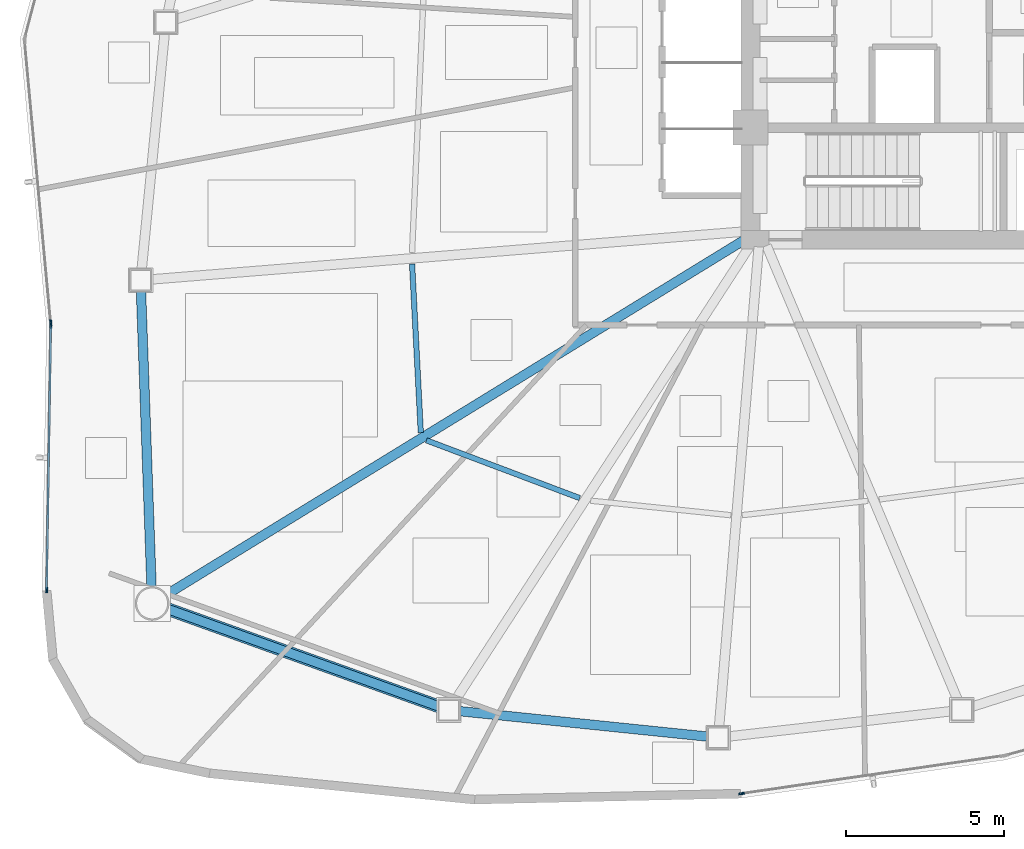
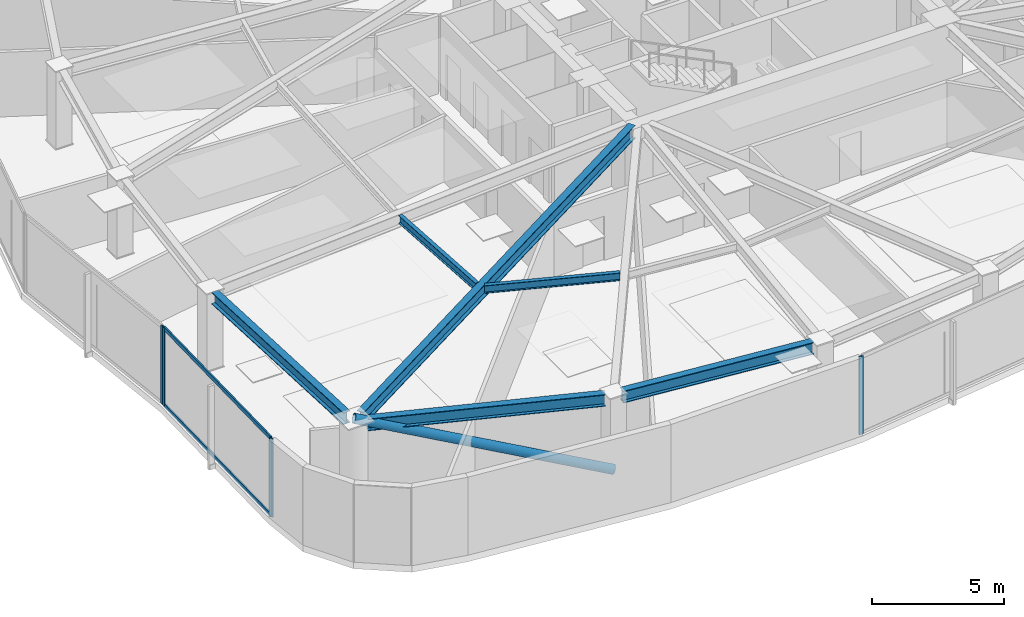
# One storey, part 2 of 17: 7 members, 6 beams, 3 elements without a shape of their own.
"""IFC4 building model written with IfcOpenShell, lengths in metres."""

from ifc_helpers import new_model, si_unit, direction, frame, origin, origin_2d, place, context, subcontext, project, spatial, hollow_rectangle, hollow_circle, i_section, extrude, source, transform, mapped, material, layer, layer_set, material_profile, profile_set, type_object, type_shapes, element, aggregate, save


model = new_model("IFC4")

# Units and contexts
model_context = context("Model", 3, precision=1e-05, world=origin(), true_north=direction((0.0, 1.0)))
body_context = subcontext(model_context, "Body", "Model", "MODEL_VIEW")
ifc_project = project(units=[si_unit("LENGTHUNIT", "METRE"), si_unit("AREAUNIT", "SQUARE_METRE"), si_unit("VOLUMEUNIT", "CUBIC_METRE"), si_unit("PLANEANGLEUNIT", "RADIAN"), si_unit("MASSUNIT", "GRAM", prefix="KILO")], contexts=[model_context])

# Site, building, storey
site_placement = place(None, origin())
site = spatial("IfcSite", under=ifc_project, at=site_placement, CompositionType="ELEMENT")
building_placement = place(site_placement, origin())
building = spatial("IfcBuilding", under=site, at=building_placement, Name="Tavelor Broadcast Tower", CompositionType="ELEMENT")
storey_placement = place(building_placement, frame((0.0, 0.0, 74.39990234375)))
storey = spatial("IfcBuildingStorey", under=building, at=storey_placement, Name="L17", CompositionType="ELEMENT", Elevation=74.39990234375)

# Beams
ifc_material_1 = material(Name="Steel S355", Category="steel")
ifc_material_profile_1 = material_profile(ifc_material_1, i_section(OverallWidth=0.169921875, OverallDepth=0.360107421875, WebThickness=0.008056640625, FlangeThickness=0.0126953125, at=origin_2d()), Name="IPE 360")
ifc_profile_set_1 = profile_set([ifc_material_profile_1], Name="Steel S355")
beam_type_1 = type_object("IfcBeamType", Name="Composite Floor Joist T2 IPE 360", PredefinedType="JOIST", material=ifc_profile_set_1)
beam_1_placement = place(storey_placement, frame((32.386474609375, 37.72900390625, 3.420166015625), z_axis=(0.051611065527, -0.998667260861, 0.0), x_axis=(0.998667260861, 0.051611065527, 0.0)))
element("IfcBeam", 1, at=beam_1_placement, inside=storey, type_object=beam_type_1, Name="L17 Secondary Composite Floor Joist 06", PredefinedType="JOIST", context=body_context, shape_type="SweptSolid", body=[
    extrude(i_section(OverallWidth=0.169921875, OverallDepth=0.360107421875, WebThickness=0.008056640625, FlangeThickness=0.0126953125, at=origin_2d()), origin(), (0.0, 0.0, 1.0), 5.340576171875),
])
beam_2_placement = place(storey_placement, frame((32.8408203125, 32.15087890625, 3.420166015625), z_axis=(0.935788002818, -0.352563205371, 0.0), x_axis=(0.352563205371, 0.935788002818, 0.0)))
element("IfcBeam", 2, at=beam_2_placement, inside=storey, type_object=beam_type_1, Name="L17 Secondary Composite Floor Joist 07", PredefinedType="JOIST", context=body_context, shape_type="SweptSolid", body=[
    extrude(i_section(OverallWidth=0.169921875, OverallDepth=0.360107421875, WebThickness=0.008056640625, FlangeThickness=0.0126953125, at=origin_2d()), origin(), (0.0, 0.0, 1.0), 5.18310546875),
])
ifc_material_profile_2 = material_profile(ifc_material_1, i_section(OverallWidth=0.300048828125, OverallDepth=0.550048828125, WebThickness=0.014892578125, FlangeThickness=0.029052734375, at=origin_2d()), Name="HEB 550")
ifc_profile_set_2 = profile_set([ifc_material_profile_2], Name="Steel S355")
beam_type_2 = type_object("IfcBeamType", Name="Perimeter Spandrel Beam T2 HEB 550", PredefinedType="SPANDREL", material=ifc_profile_set_2)
beam_3_placement = place(storey_placement, frame((23.806640625, 36.880615234375, 3.3251953125), z_axis=(0.035613586899, -0.999365635005, 0.0), x_axis=(0.999365635005, 0.035613586899, 0.0)))
element("IfcBeam", 3, at=beam_3_placement, inside=storey, type_object=beam_type_2, Name="L17 Framed-Tube Ring Spandrel 06", PredefinedType="SPANDREL", context=body_context, shape_type="SweptSolid", body=[
    extrude(i_section(OverallWidth=0.300048828125, OverallDepth=0.550048828125, WebThickness=0.014892578125, FlangeThickness=0.029052734375, at=origin_2d()), origin(), (0.0, 0.0, 1.0), 9.384765625),
])
beam_4_placement = place(storey_placement, frame((24.64111328125, 26.81640625, 3.3251953125), z_axis=(0.941105692238, -0.338112519789, 0.0), x_axis=(0.338112519789, 0.941105692238, 0.0)))
element("IfcBeam", 4, at=beam_4_placement, inside=storey, type_object=beam_type_2, Name="L17 Framed-Tube Ring Spandrel 07", PredefinedType="SPANDREL", context=body_context, shape_type="SweptSolid", body=[
    extrude(i_section(OverallWidth=0.300048828125, OverallDepth=0.550048828125, WebThickness=0.014892578125, FlangeThickness=0.029052734375, at=origin_2d()), origin(), (0.0, 0.0, 1.0), 9.13134765625),
])
beam_5_placement = place(storey_placement, frame((33.885009765625, 23.581298828125, 3.3251953125), z_axis=(0.994770407806, -0.102136358626, 0.0), x_axis=(0.102136358626, 0.994770407806, 0.0)))
element("IfcBeam", 5, at=beam_5_placement, inside=storey, type_object=beam_type_2, Name="L17 Framed-Tube Ring Spandrel 08", PredefinedType="SPANDREL", context=body_context, shape_type="SweptSolid", body=[
    extrude(i_section(OverallWidth=0.300048828125, OverallDepth=0.550048828125, WebThickness=0.014892578125, FlangeThickness=0.029052734375, at=origin_2d()), origin(), (0.0, 0.0, 1.0), 7.895263671875),
])

# Member
ifc_material_profile_3 = material_profile(ifc_material_1, hollow_circle(Radius=0.203125, WallThickness=0.02001953125, at=origin_2d()), Name="CHS 406.4x20")
ifc_profile_set_3 = profile_set([ifc_material_profile_3], Name="Steel S355")
member_type_1 = type_object("IfcMemberType", Name="Perimeter Tube Brace T2 CHS 406.4x20", PredefinedType="BRACE", material=ifc_profile_set_3)
member_1_placement = place(storey_placement, frame((33.55078125, 23.615478515625, 0.0), z_axis=(-0.885257630536, 0.318060354363, 0.339347224183), x_axis=(-0.338124247145, -0.941101478849, 0.0)))
element("IfcMember", 6, at=member_1_placement, inside=storey, type_object=member_type_1, Name="L17 Corner Tube Diagonal Brace 2", PredefinedType="BRACE", context=body_context, shape_type="SweptSolid", body=[
    extrude(hollow_circle(Radius=0.203125, WallThickness=0.02001953125, at=origin_2d()), origin(), (0.0, 0.0, 1.0), 10.60888671875),
])

# Beam
ifc_material_profile_4 = material_profile(ifc_material_1, i_section(OverallWidth=0.300048828125, OverallDepth=0.60009765625, WebThickness=0.015380859375, FlangeThickness=0.030029296875, at=origin_2d()), Name="HEB 600")
ifc_profile_set_4 = profile_set([ifc_material_profile_4], Name="Steel S355")
beam_type_3 = type_object("IfcBeamType", Name="Radial Floor Girder T2 HEB 600", PredefinedType="BEAM", material=ifc_profile_set_4)
beam_6_placement = place(storey_placement, frame((42.949951171875, 38.523681640625, 3.300048828125), z_axis=(-0.852254843795, -0.52312683092, 0.0), x_axis=(0.52312683092, -0.852254843795, 0.0)))
element("IfcBeam", 7, at=beam_6_placement, inside=storey, type_object=beam_type_3, Name="L17 Radial Primary Floor Girder 07", PredefinedType="BEAM", context=body_context, shape_type="SweptSolid", body=[
    extrude(i_section(OverallWidth=0.300048828125, OverallDepth=0.60009765625, WebThickness=0.015380859375, FlangeThickness=0.030029296875, at=origin_2d()), origin(), (0.0, 0.0, 1.0), 21.5361328125),
])

# Curtain wall, member
ifc_material_2 = material(Name="Architectural Anodized Aluminium", Category="aluminium")
ifc_layer = layer(ifc_material_2, 0.179931640625)
ifc_layer_set = layer_set([ifc_layer], Name="Architectural Anodized Aluminium")
curtain_wall_type = type_object("IfcCurtainWallType", Name="Tower Low-Zone Unitised Curtain Wall CW02", PredefinedType="NOTDEFINED", material=ifc_layer_set)
curtain_wall_1_placement = place(storey_placement, origin())
curtain_wall_1 = element("IfcCurtainWall", 8, at=curtain_wall_1_placement, inside=storey, type_object=curtain_wall_type, Name="L17 Curtain Wall CW02 Run 159", PredefinedType="NOTDEFINED")
ifc_material_profile_5 = material_profile(ifc_material_2, hollow_rectangle(XDim=0.06494140625, YDim=0.179931640625, WallThickness=0.02197265625, at=origin_2d()), Name="RHS 65x180x22")
ifc_profile_set_5 = profile_set([ifc_material_profile_5], Name="Architectural Anodized Aluminium")
member_type_2 = type_object("IfcMemberType", Name="CW02 Extruded Aluminium Mullion 65x180", PredefinedType="MULLION", material=ifc_profile_set_5)
shared_shape_1 = source(origin(), body_context, "Body", "SweptSolid", [
    extrude(hollow_rectangle(XDim=0.06494140625, YDim=0.179931640625, WallThickness=0.02197265625, at=origin_2d()), origin(), (0.0, 0.0, 1.0), 3.60009765625),
])
type_shapes(member_type_2, [shared_shape_1])
member_2_placement = place(storey_placement, frame((20.94970703125, 35.88037109375, 0.0), z_axis=(0.0, 0.0, 1.0), x_axis=(0.995736620635, 0.09224197703, 0.0)))
member_2 = element("IfcMember", 9, at=member_2_placement, type_object=member_type_2, Name="CW02 mullion 2", PredefinedType="MULLION", context=body_context, shape_type="MappedRepresentation", body=[
    mapped(shared_shape_1, transform((0.0, 0.0, 0.0), scale=1.0)),
])
aggregate(curtain_wall_1, [member_2])

# Curtain wall, members
curtain_wall_2_placement = place(storey_placement, origin())
curtain_wall_2 = element("IfcCurtainWall", 10, at=curtain_wall_2_placement, inside=storey, type_object=curtain_wall_type, Name="L17 Curtain Wall CW02 Run 160", PredefinedType="NOTDEFINED")
member_3_placement = place(storey_placement, frame((20.953369140625, 35.785400390625, 0.0), z_axis=(0.0, 0.0, 1.0), x_axis=(0.999869971034, -0.016125787544, 0.0)))
member_3 = element("IfcMember", 11, at=member_3_placement, type_object=member_type_2, Name="CW02 mullion 1", PredefinedType="MULLION", context=body_context, shape_type="MappedRepresentation", body=[
    mapped(shared_shape_1, transform((0.0, 0.0, 0.0), scale=1.0)),
])
member_4_placement = place(storey_placement, frame((20.818359375, 27.417724609375, 0.0), z_axis=(0.0, 0.0, 1.0), x_axis=(0.999869971034, -0.016125787544, 0.0)))
member_4 = element("IfcMember", 12, at=member_4_placement, type_object=member_type_2, Name="CW02 mullion 2", PredefinedType="MULLION", context=body_context, shape_type="MappedRepresentation", body=[
    mapped(shared_shape_1, transform((0.0, 0.0, 0.0), scale=1.0)),
])

# Curtain wall, member
curtain_wall_3_placement = place(storey_placement, origin())
curtain_wall_3 = element("IfcCurtainWall", 13, at=curtain_wall_3_placement, inside=storey, type_object=curtain_wall_type, Name="L17 Curtain Wall CW02 Run 161", PredefinedType="NOTDEFINED")
member_5_placement = place(storey_placement, frame((42.814697265625, 20.97021484375, 0.0), z_axis=(0.0, 0.0, 1.0), x_axis=(-0.14304960165, 0.989715520474, 0.0)))
member_5 = element("IfcMember", 14, at=member_5_placement, type_object=member_type_2, Name="CW02 mullion 1", PredefinedType="MULLION", context=body_context, shape_type="MappedRepresentation", body=[
    mapped(shared_shape_1, transform((0.0, 0.0, 0.0), scale=1.0)),
])
aggregate(curtain_wall_3, [member_5])

# Member
ifc_material_profile_6 = material_profile(ifc_material_2, hollow_rectangle(XDim=0.06494140625, YDim=0.179931640625, WallThickness=0.02197265625, at=origin_2d()), Name="RHS 65x180x22")
ifc_profile_set_6 = profile_set([ifc_material_profile_6], Name="Architectural Anodized Aluminium")
member_type_3 = type_object("IfcMemberType", Name="CW02 Extruded Aluminium Transom 65x180", PredefinedType="USERDEFINED", material=ifc_profile_set_6)
shared_shape_2 = source(origin(), body_context, "Body", "SweptSolid", [
    extrude(hollow_rectangle(XDim=0.06494140625, YDim=0.179931640625, WallThickness=0.02197265625, at=origin_2d()), origin(), (0.0, 0.0, 1.0), 8.3037109375),
])
type_shapes(member_type_3, [shared_shape_2])
member_6_placement = place(storey_placement, frame((20.952880859375, 35.7529296875, 0.03271484375), z_axis=(-0.016141157314, -0.999869723034, 0.0), x_axis=(0.999869723034, -0.016141157314, 0.0)))
member_6 = element("IfcMember", 15, at=member_6_placement, type_object=member_type_3, Name="CW02 transom 1.1", ObjectType="TRANSOM", PredefinedType="USERDEFINED", context=body_context, shape_type="MappedRepresentation", body=[
    mapped(shared_shape_2, transform((0.0, 0.0, 0.0), scale=1.0)),
])

member_7_placement = place(storey_placement, frame((20.952880859375, 35.7529296875, 3.567626953125), z_axis=(-0.016141157314, -0.999869723034, 0.0), x_axis=(0.999869723034, -0.016141157314, 0.0)))
member_7 = element("IfcMember", 16, at=member_7_placement, type_object=member_type_3, Name="CW02 transom 1.2", ObjectType="TRANSOM", PredefinedType="USERDEFINED", context=body_context, shape_type="MappedRepresentation", body=[
    mapped(shared_shape_2, transform((0.0, 0.0, 0.0), scale=1.0)),
])

aggregate(curtain_wall_2, [member_3, member_4, member_6, member_7])

save(model, "model.ifc")
